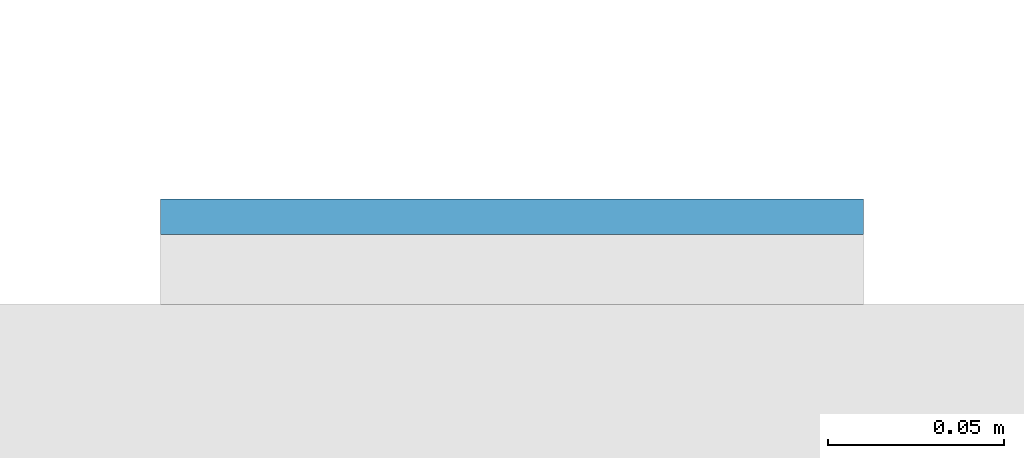
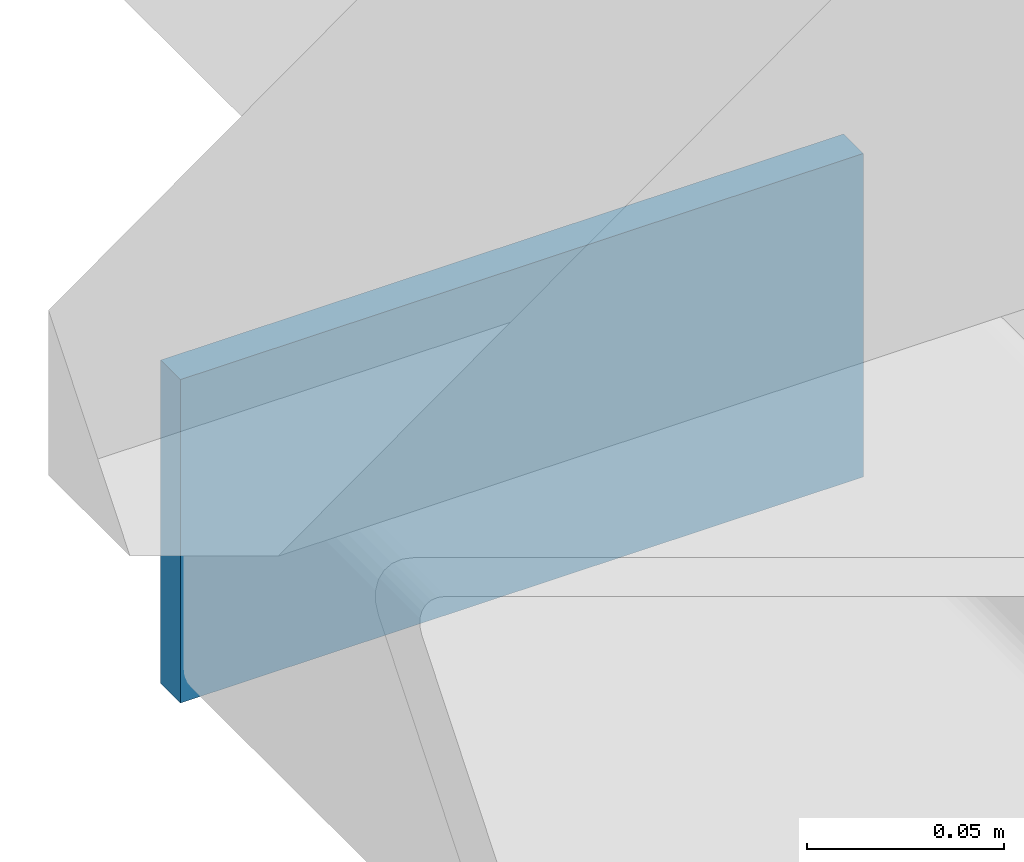
# One storey, part 9 of 20: 1 plate.
"""IFC4 building model written with IfcOpenShell, lengths in metres."""

from ifc_helpers import new_model, si_unit, direction, frame, origin, origin_2d, place, context, subcontext, project, spatial, rectangle, extrude, material, layer, layer_set, type_object, element, save


model = new_model("IFC4")

# Units and contexts
model_context = context("Model", 3, precision=1e-05, world=origin(), true_north=direction((0.0, 1.0)))
body_context = subcontext(model_context, "Body", "Model", "MODEL_VIEW")
ifc_project = project(units=[si_unit("LENGTHUNIT", "METRE"), si_unit("AREAUNIT", "SQUARE_METRE"), si_unit("VOLUMEUNIT", "CUBIC_METRE"), si_unit("PLANEANGLEUNIT", "RADIAN"), si_unit("MASSUNIT", "GRAM", prefix="KILO")], contexts=[model_context])

# Site, building, storey
site_placement = place(None, origin())
site = spatial("IfcSite", under=ifc_project, at=site_placement, CompositionType="ELEMENT")
building_placement = place(site_placement, origin())
building = spatial("IfcBuilding", under=site, at=building_placement, Name="Cleftline Residences", CompositionType="ELEMENT")
storey_placement = place(building_placement, frame((0.0, 0.0, 211.0)))
storey = spatial("IfcBuildingStorey", under=building, at=storey_placement, Name="L55", CompositionType="ELEMENT", Elevation=211.0)

# Plate
ifc_material = material(Name="Steel S355, hot-dip galvanised", Category="steel")
ifc_layer = layer(ifc_material, 0.010009765625)
ifc_layer_set = layer_set([ifc_layer], Name="BAGUETTE CARRIER END PLATE 200X100X10")
plate_type = type_object("IfcPlateType", Name="BAGUETTE CARRIER END PLATE 200X100X10", PredefinedType="USERDEFINED", material=ifc_layer_set)
plate_placement = place(storey_placement, frame((-0.85009765625, 44.304931640625, -0.10009765625), z_axis=(0.0, 0.0, 1.0), x_axis=(-1.0, 0.0, 0.0)))
element("IfcPlate", 1, at=plate_placement, inside=storey, type_object=plate_type, Name="Baguette carrier end plate", ObjectType="BAGUETTE CARRIER END PLATE", PredefinedType="USERDEFINED", context=body_context, shape_type="SweptSolid", body=[
    extrude(rectangle(XDim=0.199951171875, YDim=0.010009765625, at=origin_2d()), origin(), (0.0, 0.0, 1.0), 0.10009765625),
])

save(model, "model.ifc")
